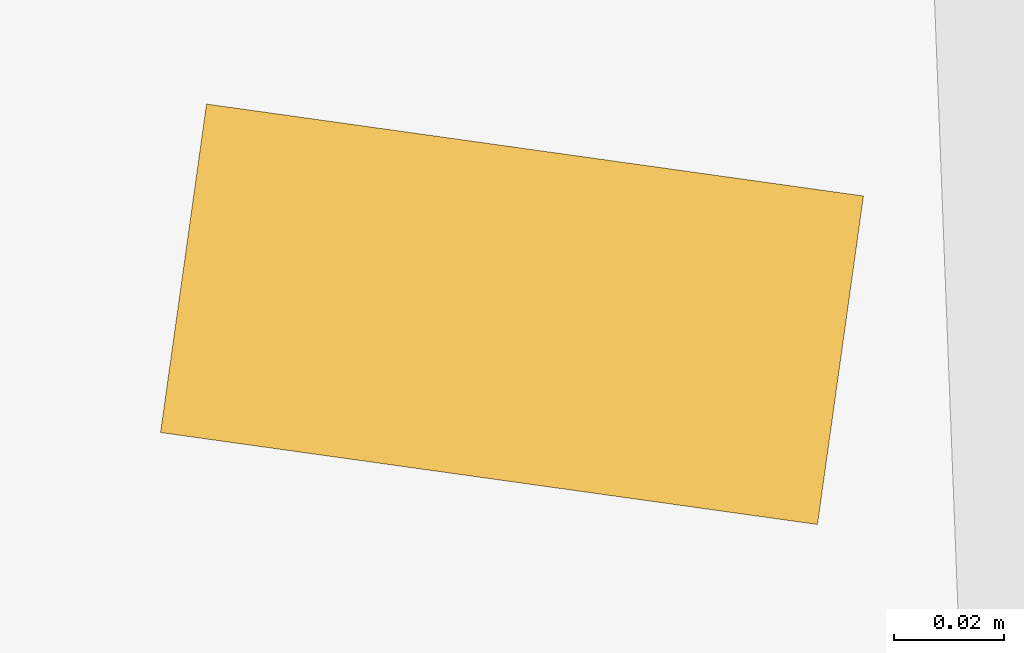
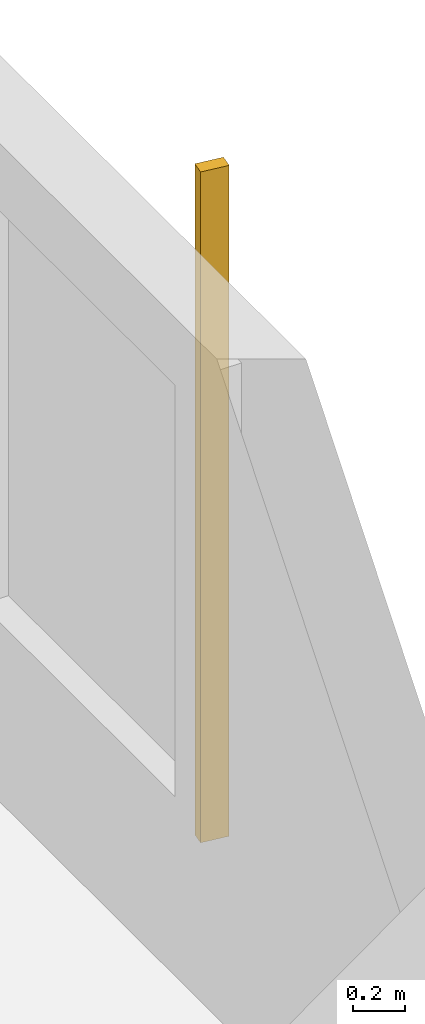
# One storey, part 20 of 22: 1 shading device.
"""IFC4 building model written with IfcOpenShell, lengths in metres."""

from ifc_helpers import new_model, si_unit, direction, frame, origin, origin_2d, place, context, subcontext, project, spatial, rectangle, extrude, source, transform, mapped, material, material_profile, profile_set, type_object, element, save


model = new_model("IFC4")

# Units and contexts
model_context = context("Model", 3, precision=1e-05, world=origin(), true_north=direction((0.0, 1.0)))
body_context = subcontext(model_context, "Body", "Model", "MODEL_VIEW")
ifc_project = project(units=[si_unit("LENGTHUNIT", "METRE"), si_unit("AREAUNIT", "SQUARE_METRE"), si_unit("VOLUMEUNIT", "CUBIC_METRE"), si_unit("PLANEANGLEUNIT", "RADIAN"), si_unit("MASSUNIT", "GRAM", prefix="KILO")], contexts=[model_context])

# Site, building, storey
site_placement = place(None, origin())
site = spatial("IfcSite", under=ifc_project, at=site_placement, CompositionType="ELEMENT")
building_placement = place(site_placement, origin())
building = spatial("IfcBuilding", under=site, at=building_placement, Name="Kilnfold Tower and Market Hall", CompositionType="ELEMENT")
storey_placement = place(building_placement, frame((0.0, 0.0, 213.5)))
storey = spatial("IfcBuildingStorey", under=building, at=storey_placement, Name="L52", CompositionType="ELEMENT", Elevation=213.5)

# Shading device
ifc_material = material(Name="Terracotta", Category="masonry")
ifc_material_profile = material_profile(ifc_material, rectangle(XDim=0.06005859375, YDim=0.1201171875, at=origin_2d()), Name="BAG 60x120")
ifc_profile_set = profile_set([ifc_material_profile], Name="Terracotta")
shading_device_type = type_object("IfcShadingDeviceType", Name="BAGUETTE", PredefinedType="USERDEFINED", material=ifc_profile_set)
shared_shape = source(origin(), body_context, "Body", "SweptSolid", [
    extrude(rectangle(XDim=0.06005859375, YDim=0.1201171875, at=origin_2d()), origin(), (0.0, 0.0, 1.0), 3.179931640625),
])
shading_device_placement = place(storey_placement, frame((31.550048828125, 2.3125, 0.0), z_axis=(0.0, 0.0, 1.0), x_axis=(0.138618280779, 0.99034588515, 0.0)))
element("IfcShadingDevice", 1, at=shading_device_placement, inside=storey, type_object=shading_device_type, Name="Terracotta baguette L52 E", ObjectType="BAGUETTE", PredefinedType="USERDEFINED", context=body_context, shape_type="MappedRepresentation", body=[
    mapped(shared_shape, transform((0.0, 0.0, 0.0))),
])

save(model, "model.ifc")
